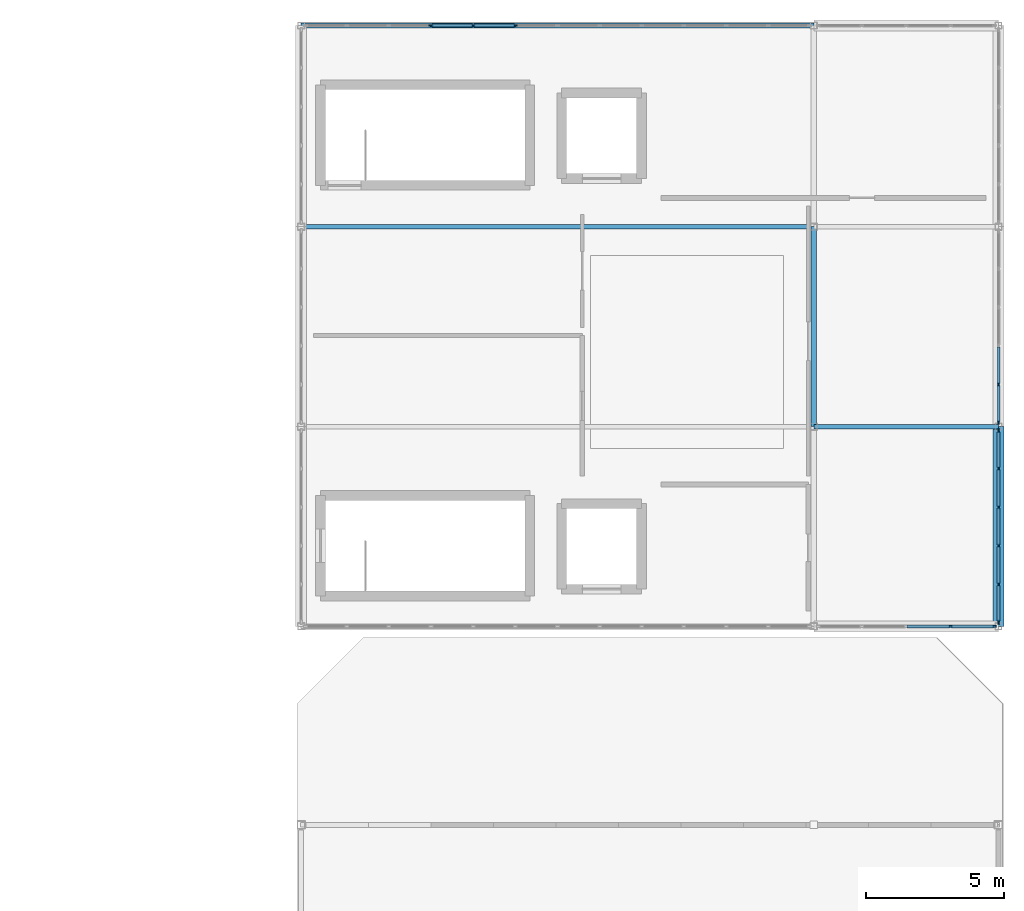
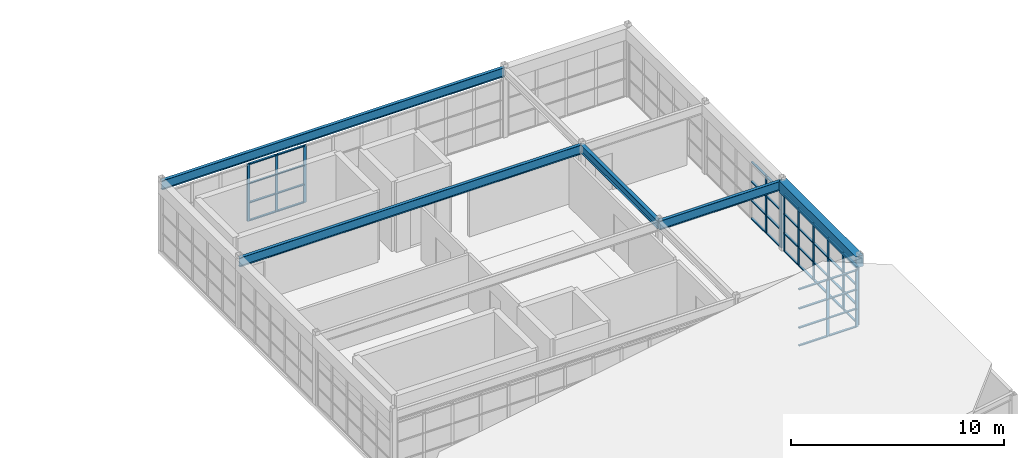
# One storey, part 11 of 19: 57 members, 5 beams, 4 elements without a shape of their own.
"""IFC4 building model written with IfcOpenShell, lengths in metres."""

from ifc_helpers import new_model, si_unit, direction, frame, origin, origin_2d, place, context, subcontext, project, spatial, rectangle, i_section, extrude, material, layer, layer_set, material_profile, profile_set, type_object, element, aggregate, save


model = new_model("IFC4")

# Units and contexts
model_context = context("Model", 3, precision=1e-05, world=origin(), true_north=direction((0.0, 1.0)))
body_context = subcontext(model_context, "Body", "Model", "MODEL_VIEW")
ifc_project = project(units=[si_unit("LENGTHUNIT", "METRE"), si_unit("AREAUNIT", "SQUARE_METRE"), si_unit("VOLUMEUNIT", "CUBIC_METRE"), si_unit("PLANEANGLEUNIT", "RADIAN"), si_unit("MASSUNIT", "GRAM", prefix="KILO")], contexts=[model_context])

# Site, building, storey
site_placement = place(None, origin())
site = spatial("IfcSite", under=ifc_project, at=site_placement, CompositionType="ELEMENT")
building_placement = place(site_placement, origin())
building = spatial("IfcBuilding", under=site, at=building_placement, Name="Candilejo Ridge Gondola Terminal", CompositionType="ELEMENT")
storey_placement = place(building_placement, frame((0.0, 0.0, 22.800048828125)))
storey = spatial("IfcBuildingStorey", under=building, at=storey_placement, Name="L05", CompositionType="ELEMENT", Elevation=22.800048828125)

# Curtain wall, members
ifc_material_1 = material(Name="Anodised aluminium AA 6063-T6", Category="aluminium")
ifc_layer_1 = layer(ifc_material_1, 0.169921875)
ifc_layer_set_1 = layer_set([ifc_layer_1], Name="ARC-CW-TOWER-3000-700X329")
curtain_wall_type_1 = type_object("IfcCurtainWallType", Name="ARC-CW-TOWER-3000-700X329", PredefinedType="NOTDEFINED", material=ifc_layer_set_1)
curtain_wall_1_placement = place(storey_placement, origin())
curtain_wall_1 = element("IfcCurtainWall", 1, at=curtain_wall_1_placement, inside=storey, type_object=curtain_wall_type_1, Name="Curtain wall V5 L05-227", PredefinedType="NOTDEFINED")
ifc_material_2 = material(Name="Anodised aluminium AA 6063-T6", Category="aluminium")
ifc_material_profile_1 = material_profile(ifc_material_2, rectangle(XDim=0.06494140625, YDim=0.14990234375, at=origin_2d()))
ifc_profile_set_1 = profile_set([ifc_material_profile_1], Name="Anodised aluminium AA 6063-T6")
member_type_1 = type_object("IfcMemberType", Name="ARC-CW-MULLION-150", PredefinedType="MULLION", material=ifc_profile_set_1)
member_1_placement = place(storey_placement, frame((175.300048828125, 99.20751953125, 0.0), z_axis=(0.0, 0.0, 1.0), x_axis=(-1.0, 0.0, 0.0)))
member_1 = element("IfcMember", 2, at=member_1_placement, type_object=member_type_1, Name="CW-70X32 mullion 1", PredefinedType="MULLION", context=body_context, shape_type="SweptSolid", body=[
    extrude(rectangle(XDim=0.06494140625, YDim=0.14990234375, at=origin_2d()), origin(), (0.0, 0.0, 1.0), 3.2900390625),
])
member_2_placement = place(storey_placement, frame((175.300048828125, 100.574951171875, 0.0), z_axis=(0.0, 0.0, 1.0), x_axis=(-1.0, 0.0, 0.0)))
member_2 = element("IfcMember", 3, at=member_2_placement, type_object=member_type_1, Name="CW-70X32 mullion 2", PredefinedType="MULLION", context=body_context, shape_type="SweptSolid", body=[
    extrude(rectangle(XDim=0.06494140625, YDim=0.14990234375, at=origin_2d()), origin(), (0.0, 0.0, 1.0), 3.2900390625),
])
member_3_placement = place(storey_placement, frame((175.300048828125, 101.97509765625, 0.0), z_axis=(0.0, 0.0, 1.0), x_axis=(-1.0, 0.0, 0.0)))
member_3 = element("IfcMember", 4, at=member_3_placement, type_object=member_type_1, Name="CW-70X32 mullion 3", PredefinedType="MULLION", context=body_context, shape_type="SweptSolid", body=[
    extrude(rectangle(XDim=0.06494140625, YDim=0.14990234375, at=origin_2d()), origin(), (0.0, 0.0, 1.0), 3.2900390625),
])
member_4_placement = place(storey_placement, frame((175.300048828125, 103.375, 0.0), z_axis=(0.0, 0.0, 1.0), x_axis=(-1.0, 0.0, 0.0)))
member_4 = element("IfcMember", 5, at=member_4_placement, type_object=member_type_1, Name="CW-70X32 mullion 4", PredefinedType="MULLION", context=body_context, shape_type="SweptSolid", body=[
    extrude(rectangle(XDim=0.06494140625, YDim=0.14990234375, at=origin_2d()), origin(), (0.0, 0.0, 1.0), 3.2900390625),
])
member_5_placement = place(storey_placement, frame((175.300048828125, 104.77490234375, 0.0), z_axis=(0.0, 0.0, 1.0), x_axis=(-1.0, 0.0, 0.0)))
member_5 = element("IfcMember", 6, at=member_5_placement, type_object=member_type_1, Name="CW-70X32 mullion 5", PredefinedType="MULLION", context=body_context, shape_type="SweptSolid", body=[
    extrude(rectangle(XDim=0.06494140625, YDim=0.14990234375, at=origin_2d()), origin(), (0.0, 0.0, 1.0), 3.2900390625),
])
member_6_placement = place(storey_placement, frame((175.300048828125, 106.142578125, 0.0), z_axis=(0.0, 0.0, 1.0), x_axis=(-1.0, 0.0, 0.0)))
member_6 = element("IfcMember", 7, at=member_6_placement, type_object=member_type_1, Name="CW-70X32 mullion 6", PredefinedType="MULLION", context=body_context, shape_type="SweptSolid", body=[
    extrude(rectangle(XDim=0.06494140625, YDim=0.14990234375, at=origin_2d()), origin(), (0.0, 0.0, 1.0), 3.2900390625),
])

curtain_wall_2_placement = place(storey_placement, origin())
curtain_wall_2 = element("IfcCurtainWall", 8, at=curtain_wall_2_placement, inside=storey, type_object=curtain_wall_type_1, Name="Curtain wall V5 L05-229", PredefinedType="NOTDEFINED")
member_7_placement = place(storey_placement, frame((175.300048828125, 106.45751953125, 0.0), z_axis=(0.0, 0.0, 1.0), x_axis=(-1.0, 0.0, 0.0)))
member_7 = element("IfcMember", 9, at=member_7_placement, type_object=member_type_1, Name="CW-70X32 mullion 1", PredefinedType="MULLION", context=body_context, shape_type="SweptSolid", body=[
    extrude(rectangle(XDim=0.06494140625, YDim=0.14990234375, at=origin_2d()), origin(), (0.0, 0.0, 1.0), 3.2900390625),
])
member_8_placement = place(storey_placement, frame((175.300048828125, 107.824951171875, 0.0), z_axis=(0.0, 0.0, 1.0), x_axis=(-1.0, 0.0, 0.0)))
member_8 = element("IfcMember", 10, at=member_8_placement, type_object=member_type_1, Name="CW-70X32 mullion 2", PredefinedType="MULLION", context=body_context, shape_type="SweptSolid", body=[
    extrude(rectangle(XDim=0.06494140625, YDim=0.14990234375, at=origin_2d()), origin(), (0.0, 0.0, 1.0), 3.2900390625),
])

ifc_material_3 = material(Name="Anodised aluminium AA 6063-T6", Category="aluminium")
ifc_layer_2 = layer(ifc_material_3, 0.169921875)
ifc_layer_set_2 = layer_set([ifc_layer_2], Name="ARC-CW-TOWER-3000-1835X329")
curtain_wall_type_2 = type_object("IfcCurtainWallType", Name="ARC-CW-TOWER-3000-1835X329", PredefinedType="NOTDEFINED", material=ifc_layer_set_2)
curtain_wall_3_placement = place(storey_placement, origin())
curtain_wall_3 = element("IfcCurtainWall", 11, at=curtain_wall_3_placement, inside=storey, type_object=curtain_wall_type_2, Name="Curtain wall V5 L05-233", PredefinedType="NOTDEFINED")
member_9_placement = place(storey_placement, frame((154.71240234375, 120.85009765625, 0.0), z_axis=(0.0, 0.0, 1.0), x_axis=(0.0, 1.0, 0.0)))
member_9 = element("IfcMember", 12, at=member_9_placement, type_object=member_type_1, Name="CW-183X32 mullion 4", PredefinedType="MULLION", context=body_context, shape_type="SweptSolid", body=[
    extrude(rectangle(XDim=0.06494140625, YDim=0.14990234375, at=origin_2d()), origin(), (0.0, 0.0, 1.0), 3.2900390625),
])
member_10_placement = place(storey_placement, frame((156.24169921875, 120.85009765625, 0.0), z_axis=(0.0, 0.0, 1.0), x_axis=(0.0, 1.0, 0.0)))
member_10 = element("IfcMember", 13, at=member_10_placement, type_object=member_type_1, Name="CW-183X32 mullion 5", PredefinedType="MULLION", context=body_context, shape_type="SweptSolid", body=[
    extrude(rectangle(XDim=0.06494140625, YDim=0.14990234375, at=origin_2d()), origin(), (0.0, 0.0, 1.0), 3.2900390625),
])
member_11_placement = place(storey_placement, frame((157.770751953125, 120.85009765625, 0.0), z_axis=(0.0, 0.0, 1.0), x_axis=(0.0, 1.0, 0.0)))
member_11 = element("IfcMember", 14, at=member_11_placement, type_object=member_type_1, Name="CW-183X32 mullion 6", PredefinedType="MULLION", context=body_context, shape_type="SweptSolid", body=[
    extrude(rectangle(XDim=0.06494140625, YDim=0.14990234375, at=origin_2d()), origin(), (0.0, 0.0, 1.0), 3.2900390625),
])

ifc_material_4 = material(Name="Anodised aluminium AA 6063-T6", Category="aluminium")
ifc_layer_3 = layer(ifc_material_4, 0.169921875)
ifc_layer_set_3 = layer_set([ifc_layer_3], Name="ARC-CW-TOWER-3000-645X329")
curtain_wall_type_3 = type_object("IfcCurtainWallType", Name="ARC-CW-TOWER-3000-645X329", PredefinedType="NOTDEFINED", material=ifc_layer_set_3)
curtain_wall_4_placement = place(storey_placement, origin())
curtain_wall_4 = element("IfcCurtainWall", 15, at=curtain_wall_4_placement, inside=storey, type_object=curtain_wall_type_3, Name="Curtain wall V5 L05-234", PredefinedType="NOTDEFINED")
member_12_placement = place(storey_placement, frame((173.5625, 99.050048828125, 0.0), z_axis=(0.0, 0.0, 1.0), x_axis=(0.0, 1.0, 0.0)))
member_12 = element("IfcMember", 16, at=member_12_placement, type_object=member_type_1, Name="CW-64X32 mullion 4", PredefinedType="MULLION", context=body_context, shape_type="SweptSolid", body=[
    extrude(rectangle(XDim=0.06494140625, YDim=0.14990234375, at=origin_2d()), origin(), (0.0, 0.0, 1.0), 3.2900390625),
])
member_13_placement = place(storey_placement, frame((175.142578125, 99.050048828125, 0.0), z_axis=(0.0, 0.0, 1.0), x_axis=(0.0, 1.0, 0.0)))
member_13 = element("IfcMember", 17, at=member_13_placement, type_object=member_type_1, Name="CW-64X32 mullion 5", PredefinedType="MULLION", context=body_context, shape_type="SweptSolid", body=[
    extrude(rectangle(XDim=0.06494140625, YDim=0.14990234375, at=origin_2d()), origin(), (0.0, 0.0, 1.0), 3.2900390625),
])

# Member
ifc_material_5 = material(Name="Anodised aluminium AA 6063-T6", Category="aluminium")
ifc_material_profile_2 = material_profile(ifc_material_5, rectangle(XDim=0.110107421875, YDim=0.06005859375, at=origin_2d()))
ifc_profile_set_2 = profile_set([ifc_material_profile_2], Name="Anodised aluminium AA 6063-T6")
member_type_2 = type_object("IfcMemberType", Name="ARC-CW-TRANSOM-110", PredefinedType="USERDEFINED", material=ifc_profile_set_2)
member_14_placement = place(storey_placement, frame((175.300048828125, 99.239990234375, 0.030029296875), z_axis=(0.0, 1.0, 0.0), x_axis=(-1.0, 0.0, 0.0)))
member_14 = element("IfcMember", 18, at=member_14_placement, type_object=member_type_2, Name="CW-70X32 transom 1.1", ObjectType="TRANSOM", PredefinedType="USERDEFINED", context=body_context, shape_type="SweptSolid", body=[
    extrude(rectangle(XDim=0.110107421875, YDim=0.06005859375, at=origin_2d()), origin(), (0.0, 0.0, 1.0), 1.302490234375),
])

member_15_placement = place(storey_placement, frame((175.300048828125, 99.239990234375, 1.050048828125), z_axis=(0.0, 1.0, 0.0), x_axis=(-1.0, 0.0, 0.0)))
member_15 = element("IfcMember", 19, at=member_15_placement, type_object=member_type_2, Name="CW-70X32 transom 1.2", ObjectType="TRANSOM", PredefinedType="USERDEFINED", context=body_context, shape_type="SweptSolid", body=[
    extrude(rectangle(XDim=0.110107421875, YDim=0.06005859375, at=origin_2d()), origin(), (0.0, 0.0, 1.0), 1.302490234375),
])

member_16_placement = place(storey_placement, frame((175.300048828125, 99.239990234375, 2.14990234375), z_axis=(0.0, 1.0, 0.0), x_axis=(-1.0, 0.0, 0.0)))
member_16 = element("IfcMember", 20, at=member_16_placement, type_object=member_type_2, Name="CW-70X32 transom 1.3", ObjectType="TRANSOM", PredefinedType="USERDEFINED", context=body_context, shape_type="SweptSolid", body=[
    extrude(rectangle(XDim=0.110107421875, YDim=0.06005859375, at=origin_2d()), origin(), (0.0, 0.0, 1.0), 1.302490234375),
])

member_17_placement = place(storey_placement, frame((175.300048828125, 99.239990234375, 3.260009765625), z_axis=(0.0, 1.0, 0.0), x_axis=(-1.0, 0.0, 0.0)))
member_17 = element("IfcMember", 21, at=member_17_placement, type_object=member_type_2, Name="CW-70X32 transom 1.4", ObjectType="TRANSOM", PredefinedType="USERDEFINED", context=body_context, shape_type="SweptSolid", body=[
    extrude(rectangle(XDim=0.110107421875, YDim=0.06005859375, at=origin_2d()), origin(), (0.0, 0.0, 1.0), 1.302490234375),
])

member_18_placement = place(storey_placement, frame((175.300048828125, 100.607421875, 0.030029296875), z_axis=(0.0, 1.0, 0.0), x_axis=(-1.0, 0.0, 0.0)))
member_18 = element("IfcMember", 22, at=member_18_placement, type_object=member_type_2, Name="CW-70X32 transom 2.1", ObjectType="TRANSOM", PredefinedType="USERDEFINED", context=body_context, shape_type="SweptSolid", body=[
    extrude(rectangle(XDim=0.110107421875, YDim=0.06005859375, at=origin_2d()), origin(), (0.0, 0.0, 1.0), 1.3349609375),
])

member_19_placement = place(storey_placement, frame((175.300048828125, 100.607421875, 1.050048828125), z_axis=(0.0, 1.0, 0.0), x_axis=(-1.0, 0.0, 0.0)))
member_19 = element("IfcMember", 23, at=member_19_placement, type_object=member_type_2, Name="CW-70X32 transom 2.2", ObjectType="TRANSOM", PredefinedType="USERDEFINED", context=body_context, shape_type="SweptSolid", body=[
    extrude(rectangle(XDim=0.110107421875, YDim=0.06005859375, at=origin_2d()), origin(), (0.0, 0.0, 1.0), 1.3349609375),
])

member_20_placement = place(storey_placement, frame((175.300048828125, 100.607421875, 2.14990234375), z_axis=(0.0, 1.0, 0.0), x_axis=(-1.0, 0.0, 0.0)))
member_20 = element("IfcMember", 24, at=member_20_placement, type_object=member_type_2, Name="CW-70X32 transom 2.3", ObjectType="TRANSOM", PredefinedType="USERDEFINED", context=body_context, shape_type="SweptSolid", body=[
    extrude(rectangle(XDim=0.110107421875, YDim=0.06005859375, at=origin_2d()), origin(), (0.0, 0.0, 1.0), 1.3349609375),
])

member_21_placement = place(storey_placement, frame((175.300048828125, 100.607421875, 3.260009765625), z_axis=(0.0, 1.0, 0.0), x_axis=(-1.0, 0.0, 0.0)))
member_21 = element("IfcMember", 25, at=member_21_placement, type_object=member_type_2, Name="CW-70X32 transom 2.4", ObjectType="TRANSOM", PredefinedType="USERDEFINED", context=body_context, shape_type="SweptSolid", body=[
    extrude(rectangle(XDim=0.110107421875, YDim=0.06005859375, at=origin_2d()), origin(), (0.0, 0.0, 1.0), 1.3349609375),
])

member_22_placement = place(storey_placement, frame((175.300048828125, 102.007568359375, 0.030029296875), z_axis=(0.0, 1.0, 0.0), x_axis=(-1.0, 0.0, 0.0)))
member_22 = element("IfcMember", 26, at=member_22_placement, type_object=member_type_2, Name="CW-70X32 transom 3.1", ObjectType="TRANSOM", PredefinedType="USERDEFINED", context=body_context, shape_type="SweptSolid", body=[
    extrude(rectangle(XDim=0.110107421875, YDim=0.06005859375, at=origin_2d()), origin(), (0.0, 0.0, 1.0), 1.3349609375),
])

member_23_placement = place(storey_placement, frame((175.300048828125, 102.007568359375, 1.050048828125), z_axis=(0.0, 1.0, 0.0), x_axis=(-1.0, 0.0, 0.0)))
member_23 = element("IfcMember", 27, at=member_23_placement, type_object=member_type_2, Name="CW-70X32 transom 3.2", ObjectType="TRANSOM", PredefinedType="USERDEFINED", context=body_context, shape_type="SweptSolid", body=[
    extrude(rectangle(XDim=0.110107421875, YDim=0.06005859375, at=origin_2d()), origin(), (0.0, 0.0, 1.0), 1.3349609375),
])

member_24_placement = place(storey_placement, frame((175.300048828125, 102.007568359375, 2.14990234375), z_axis=(0.0, 1.0, 0.0), x_axis=(-1.0, 0.0, 0.0)))
member_24 = element("IfcMember", 28, at=member_24_placement, type_object=member_type_2, Name="CW-70X32 transom 3.3", ObjectType="TRANSOM", PredefinedType="USERDEFINED", context=body_context, shape_type="SweptSolid", body=[
    extrude(rectangle(XDim=0.110107421875, YDim=0.06005859375, at=origin_2d()), origin(), (0.0, 0.0, 1.0), 1.3349609375),
])

member_25_placement = place(storey_placement, frame((175.300048828125, 102.007568359375, 3.260009765625), z_axis=(0.0, 1.0, 0.0), x_axis=(-1.0, 0.0, 0.0)))
member_25 = element("IfcMember", 29, at=member_25_placement, type_object=member_type_2, Name="CW-70X32 transom 3.4", ObjectType="TRANSOM", PredefinedType="USERDEFINED", context=body_context, shape_type="SweptSolid", body=[
    extrude(rectangle(XDim=0.110107421875, YDim=0.06005859375, at=origin_2d()), origin(), (0.0, 0.0, 1.0), 1.3349609375),
])

member_26_placement = place(storey_placement, frame((175.300048828125, 103.407470703125, 0.030029296875), z_axis=(0.0, 1.0, 0.0), x_axis=(-1.0, 0.0, 0.0)))
member_26 = element("IfcMember", 30, at=member_26_placement, type_object=member_type_2, Name="CW-70X32 transom 4.1", ObjectType="TRANSOM", PredefinedType="USERDEFINED", context=body_context, shape_type="SweptSolid", body=[
    extrude(rectangle(XDim=0.110107421875, YDim=0.06005859375, at=origin_2d()), origin(), (0.0, 0.0, 1.0), 1.3349609375),
])

member_27_placement = place(storey_placement, frame((175.300048828125, 103.407470703125, 1.050048828125), z_axis=(0.0, 1.0, 0.0), x_axis=(-1.0, 0.0, 0.0)))
member_27 = element("IfcMember", 31, at=member_27_placement, type_object=member_type_2, Name="CW-70X32 transom 4.2", ObjectType="TRANSOM", PredefinedType="USERDEFINED", context=body_context, shape_type="SweptSolid", body=[
    extrude(rectangle(XDim=0.110107421875, YDim=0.06005859375, at=origin_2d()), origin(), (0.0, 0.0, 1.0), 1.3349609375),
])

member_28_placement = place(storey_placement, frame((175.300048828125, 103.407470703125, 2.14990234375), z_axis=(0.0, 1.0, 0.0), x_axis=(-1.0, 0.0, 0.0)))
member_28 = element("IfcMember", 32, at=member_28_placement, type_object=member_type_2, Name="CW-70X32 transom 4.3", ObjectType="TRANSOM", PredefinedType="USERDEFINED", context=body_context, shape_type="SweptSolid", body=[
    extrude(rectangle(XDim=0.110107421875, YDim=0.06005859375, at=origin_2d()), origin(), (0.0, 0.0, 1.0), 1.3349609375),
])

member_29_placement = place(storey_placement, frame((175.300048828125, 103.407470703125, 3.260009765625), z_axis=(0.0, 1.0, 0.0), x_axis=(-1.0, 0.0, 0.0)))
member_29 = element("IfcMember", 33, at=member_29_placement, type_object=member_type_2, Name="CW-70X32 transom 4.4", ObjectType="TRANSOM", PredefinedType="USERDEFINED", context=body_context, shape_type="SweptSolid", body=[
    extrude(rectangle(XDim=0.110107421875, YDim=0.06005859375, at=origin_2d()), origin(), (0.0, 0.0, 1.0), 1.3349609375),
])

member_30_placement = place(storey_placement, frame((175.300048828125, 104.8076171875, 0.030029296875), z_axis=(0.0, 1.0, 0.0), x_axis=(-1.0, 0.0, 0.0)))
member_30 = element("IfcMember", 34, at=member_30_placement, type_object=member_type_2, Name="CW-70X32 transom 5.1", ObjectType="TRANSOM", PredefinedType="USERDEFINED", context=body_context, shape_type="SweptSolid", body=[
    extrude(rectangle(XDim=0.110107421875, YDim=0.06005859375, at=origin_2d()), origin(), (0.0, 0.0, 1.0), 1.302490234375),
])

member_31_placement = place(storey_placement, frame((175.300048828125, 104.8076171875, 1.050048828125), z_axis=(0.0, 1.0, 0.0), x_axis=(-1.0, 0.0, 0.0)))
member_31 = element("IfcMember", 35, at=member_31_placement, type_object=member_type_2, Name="CW-70X32 transom 5.2", ObjectType="TRANSOM", PredefinedType="USERDEFINED", context=body_context, shape_type="SweptSolid", body=[
    extrude(rectangle(XDim=0.110107421875, YDim=0.06005859375, at=origin_2d()), origin(), (0.0, 0.0, 1.0), 1.302490234375),
])

member_32_placement = place(storey_placement, frame((175.300048828125, 104.8076171875, 2.14990234375), z_axis=(0.0, 1.0, 0.0), x_axis=(-1.0, 0.0, 0.0)))
member_32 = element("IfcMember", 36, at=member_32_placement, type_object=member_type_2, Name="CW-70X32 transom 5.3", ObjectType="TRANSOM", PredefinedType="USERDEFINED", context=body_context, shape_type="SweptSolid", body=[
    extrude(rectangle(XDim=0.110107421875, YDim=0.06005859375, at=origin_2d()), origin(), (0.0, 0.0, 1.0), 1.302490234375),
])

member_33_placement = place(storey_placement, frame((175.300048828125, 104.8076171875, 3.260009765625), z_axis=(0.0, 1.0, 0.0), x_axis=(-1.0, 0.0, 0.0)))
member_33 = element("IfcMember", 37, at=member_33_placement, type_object=member_type_2, Name="CW-70X32 transom 5.4", ObjectType="TRANSOM", PredefinedType="USERDEFINED", context=body_context, shape_type="SweptSolid", body=[
    extrude(rectangle(XDim=0.110107421875, YDim=0.06005859375, at=origin_2d()), origin(), (0.0, 0.0, 1.0), 1.302490234375),
])

aggregate(curtain_wall_1, [member_1, member_2, member_3, member_4, member_5, member_6, member_14, member_15, member_16, member_17, member_18, member_19, member_20, member_21, member_22, member_23, member_24, member_25, member_26, member_27, member_28, member_29, member_30, member_31, member_32, member_33])

member_34_placement = place(storey_placement, frame((175.300048828125, 106.489990234375, 0.030029296875), z_axis=(0.0, 1.0, 0.0), x_axis=(-1.0, 0.0, 0.0)))
member_34 = element("IfcMember", 38, at=member_34_placement, type_object=member_type_2, Name="CW-70X32 transom 1.1", ObjectType="TRANSOM", PredefinedType="USERDEFINED", context=body_context, shape_type="SweptSolid", body=[
    extrude(rectangle(XDim=0.110107421875, YDim=0.06005859375, at=origin_2d()), origin(), (0.0, 0.0, 1.0), 1.302490234375),
])

member_35_placement = place(storey_placement, frame((175.300048828125, 106.489990234375, 1.050048828125), z_axis=(0.0, 1.0, 0.0), x_axis=(-1.0, 0.0, 0.0)))
member_35 = element("IfcMember", 39, at=member_35_placement, type_object=member_type_2, Name="CW-70X32 transom 1.2", ObjectType="TRANSOM", PredefinedType="USERDEFINED", context=body_context, shape_type="SweptSolid", body=[
    extrude(rectangle(XDim=0.110107421875, YDim=0.06005859375, at=origin_2d()), origin(), (0.0, 0.0, 1.0), 1.302490234375),
])

member_36_placement = place(storey_placement, frame((175.300048828125, 106.489990234375, 2.14990234375), z_axis=(0.0, 1.0, 0.0), x_axis=(-1.0, 0.0, 0.0)))
member_36 = element("IfcMember", 40, at=member_36_placement, type_object=member_type_2, Name="CW-70X32 transom 1.3", ObjectType="TRANSOM", PredefinedType="USERDEFINED", context=body_context, shape_type="SweptSolid", body=[
    extrude(rectangle(XDim=0.110107421875, YDim=0.06005859375, at=origin_2d()), origin(), (0.0, 0.0, 1.0), 1.302490234375),
])

member_37_placement = place(storey_placement, frame((175.300048828125, 106.489990234375, 3.260009765625), z_axis=(0.0, 1.0, 0.0), x_axis=(-1.0, 0.0, 0.0)))
member_37 = element("IfcMember", 41, at=member_37_placement, type_object=member_type_2, Name="CW-70X32 transom 1.4", ObjectType="TRANSOM", PredefinedType="USERDEFINED", context=body_context, shape_type="SweptSolid", body=[
    extrude(rectangle(XDim=0.110107421875, YDim=0.06005859375, at=origin_2d()), origin(), (0.0, 0.0, 1.0), 1.302490234375),
])

member_38_placement = place(storey_placement, frame((175.300048828125, 107.857421875, 0.030029296875), z_axis=(0.0, 1.0, 0.0), x_axis=(-1.0, 0.0, 0.0)))
member_38 = element("IfcMember", 42, at=member_38_placement, type_object=member_type_2, Name="CW-70X32 transom 2.1", ObjectType="TRANSOM", PredefinedType="USERDEFINED", context=body_context, shape_type="SweptSolid", body=[
    extrude(rectangle(XDim=0.110107421875, YDim=0.06005859375, at=origin_2d()), origin(), (0.0, 0.0, 1.0), 1.3349609375),
])

member_39_placement = place(storey_placement, frame((175.300048828125, 107.857421875, 1.050048828125), z_axis=(0.0, 1.0, 0.0), x_axis=(-1.0, 0.0, 0.0)))
member_39 = element("IfcMember", 43, at=member_39_placement, type_object=member_type_2, Name="CW-70X32 transom 2.2", ObjectType="TRANSOM", PredefinedType="USERDEFINED", context=body_context, shape_type="SweptSolid", body=[
    extrude(rectangle(XDim=0.110107421875, YDim=0.06005859375, at=origin_2d()), origin(), (0.0, 0.0, 1.0), 1.3349609375),
])

member_40_placement = place(storey_placement, frame((175.300048828125, 107.857421875, 2.14990234375), z_axis=(0.0, 1.0, 0.0), x_axis=(-1.0, 0.0, 0.0)))
member_40 = element("IfcMember", 44, at=member_40_placement, type_object=member_type_2, Name="CW-70X32 transom 2.3", ObjectType="TRANSOM", PredefinedType="USERDEFINED", context=body_context, shape_type="SweptSolid", body=[
    extrude(rectangle(XDim=0.110107421875, YDim=0.06005859375, at=origin_2d()), origin(), (0.0, 0.0, 1.0), 1.3349609375),
])

member_41_placement = place(storey_placement, frame((175.300048828125, 107.857421875, 3.260009765625), z_axis=(0.0, 1.0, 0.0), x_axis=(-1.0, 0.0, 0.0)))
member_41 = element("IfcMember", 45, at=member_41_placement, type_object=member_type_2, Name="CW-70X32 transom 2.4", ObjectType="TRANSOM", PredefinedType="USERDEFINED", context=body_context, shape_type="SweptSolid", body=[
    extrude(rectangle(XDim=0.110107421875, YDim=0.06005859375, at=origin_2d()), origin(), (0.0, 0.0, 1.0), 1.3349609375),
])

aggregate(curtain_wall_2, [member_7, member_8, member_34, member_35, member_36, member_37, member_38, member_39, member_40, member_41])

member_42_placement = place(storey_placement, frame((154.7451171875, 120.85009765625, 0.030029296875), z_axis=(1.0, 0.0, 0.0), x_axis=(0.0, 1.0, 0.0)))
member_42 = element("IfcMember", 46, at=member_42_placement, type_object=member_type_2, Name="CW-183X32 transom 4.1", ObjectType="TRANSOM", PredefinedType="USERDEFINED", context=body_context, shape_type="SweptSolid", body=[
    extrude(rectangle(XDim=0.110107421875, YDim=0.06005859375, at=origin_2d()), origin(), (0.0, 0.0, 1.0), 1.464111328125),
])

member_43_placement = place(storey_placement, frame((154.7451171875, 120.85009765625, 1.050048828125), z_axis=(1.0, 0.0, 0.0), x_axis=(0.0, 1.0, 0.0)))
member_43 = element("IfcMember", 47, at=member_43_placement, type_object=member_type_2, Name="CW-183X32 transom 4.2", ObjectType="TRANSOM", PredefinedType="USERDEFINED", context=body_context, shape_type="SweptSolid", body=[
    extrude(rectangle(XDim=0.110107421875, YDim=0.06005859375, at=origin_2d()), origin(), (0.0, 0.0, 1.0), 1.464111328125),
])

member_44_placement = place(storey_placement, frame((154.7451171875, 120.85009765625, 2.14990234375), z_axis=(1.0, 0.0, 0.0), x_axis=(0.0, 1.0, 0.0)))
member_44 = element("IfcMember", 48, at=member_44_placement, type_object=member_type_2, Name="CW-183X32 transom 4.3", ObjectType="TRANSOM", PredefinedType="USERDEFINED", context=body_context, shape_type="SweptSolid", body=[
    extrude(rectangle(XDim=0.110107421875, YDim=0.06005859375, at=origin_2d()), origin(), (0.0, 0.0, 1.0), 1.464111328125),
])

member_45_placement = place(storey_placement, frame((154.7451171875, 120.85009765625, 3.260009765625), z_axis=(1.0, 0.0, 0.0), x_axis=(0.0, 1.0, 0.0)))
member_45 = element("IfcMember", 49, at=member_45_placement, type_object=member_type_2, Name="CW-183X32 transom 4.4", ObjectType="TRANSOM", PredefinedType="USERDEFINED", context=body_context, shape_type="SweptSolid", body=[
    extrude(rectangle(XDim=0.110107421875, YDim=0.06005859375, at=origin_2d()), origin(), (0.0, 0.0, 1.0), 1.464111328125),
])

member_46_placement = place(storey_placement, frame((156.274169921875, 120.85009765625, 0.030029296875), z_axis=(1.0, 0.0, 0.0), x_axis=(0.0, 1.0, 0.0)))
member_46 = element("IfcMember", 50, at=member_46_placement, type_object=member_type_2, Name="CW-183X32 transom 5.1", ObjectType="TRANSOM", PredefinedType="USERDEFINED", context=body_context, shape_type="SweptSolid", body=[
    extrude(rectangle(XDim=0.110107421875, YDim=0.06005859375, at=origin_2d()), origin(), (0.0, 0.0, 1.0), 1.464111328125),
])

member_47_placement = place(storey_placement, frame((156.274169921875, 120.85009765625, 1.050048828125), z_axis=(1.0, 0.0, 0.0), x_axis=(0.0, 1.0, 0.0)))
member_47 = element("IfcMember", 51, at=member_47_placement, type_object=member_type_2, Name="CW-183X32 transom 5.2", ObjectType="TRANSOM", PredefinedType="USERDEFINED", context=body_context, shape_type="SweptSolid", body=[
    extrude(rectangle(XDim=0.110107421875, YDim=0.06005859375, at=origin_2d()), origin(), (0.0, 0.0, 1.0), 1.464111328125),
])

member_48_placement = place(storey_placement, frame((156.274169921875, 120.85009765625, 2.14990234375), z_axis=(1.0, 0.0, 0.0), x_axis=(0.0, 1.0, 0.0)))
member_48 = element("IfcMember", 52, at=member_48_placement, type_object=member_type_2, Name="CW-183X32 transom 5.3", ObjectType="TRANSOM", PredefinedType="USERDEFINED", context=body_context, shape_type="SweptSolid", body=[
    extrude(rectangle(XDim=0.110107421875, YDim=0.06005859375, at=origin_2d()), origin(), (0.0, 0.0, 1.0), 1.464111328125),
])

member_49_placement = place(storey_placement, frame((156.274169921875, 120.85009765625, 3.260009765625), z_axis=(1.0, 0.0, 0.0), x_axis=(0.0, 1.0, 0.0)))
member_49 = element("IfcMember", 53, at=member_49_placement, type_object=member_type_2, Name="CW-183X32 transom 5.4", ObjectType="TRANSOM", PredefinedType="USERDEFINED", context=body_context, shape_type="SweptSolid", body=[
    extrude(rectangle(XDim=0.110107421875, YDim=0.06005859375, at=origin_2d()), origin(), (0.0, 0.0, 1.0), 1.464111328125),
])

aggregate(curtain_wall_3, [member_9, member_10, member_11, member_42, member_43, member_44, member_45, member_46, member_47, member_48, member_49])

member_50_placement = place(storey_placement, frame((171.982421875, 99.050048828125, 0.030029296875), z_axis=(1.0, 0.0, 0.0), x_axis=(0.0, 1.0, 0.0)))
member_50 = element("IfcMember", 54, at=member_50_placement, type_object=member_type_2, Name="CW-64X32 transom 3.1", ObjectType="TRANSOM", PredefinedType="USERDEFINED", context=body_context, shape_type="SweptSolid", body=[
    extrude(rectangle(XDim=0.110107421875, YDim=0.06005859375, at=origin_2d()), origin(), (0.0, 0.0, 1.0), 1.547607421875),
])

member_51_placement = place(storey_placement, frame((171.982421875, 99.050048828125, 1.050048828125), z_axis=(1.0, 0.0, 0.0), x_axis=(0.0, 1.0, 0.0)))
member_51 = element("IfcMember", 55, at=member_51_placement, type_object=member_type_2, Name="CW-64X32 transom 3.2", ObjectType="TRANSOM", PredefinedType="USERDEFINED", context=body_context, shape_type="SweptSolid", body=[
    extrude(rectangle(XDim=0.110107421875, YDim=0.06005859375, at=origin_2d()), origin(), (0.0, 0.0, 1.0), 1.547607421875),
])

member_52_placement = place(storey_placement, frame((171.982421875, 99.050048828125, 2.14990234375), z_axis=(1.0, 0.0, 0.0), x_axis=(0.0, 1.0, 0.0)))
member_52 = element("IfcMember", 56, at=member_52_placement, type_object=member_type_2, Name="CW-64X32 transom 3.3", ObjectType="TRANSOM", PredefinedType="USERDEFINED", context=body_context, shape_type="SweptSolid", body=[
    extrude(rectangle(XDim=0.110107421875, YDim=0.06005859375, at=origin_2d()), origin(), (0.0, 0.0, 1.0), 1.547607421875),
])

member_53_placement = place(storey_placement, frame((171.982421875, 99.050048828125, 3.260009765625), z_axis=(1.0, 0.0, 0.0), x_axis=(0.0, 1.0, 0.0)))
member_53 = element("IfcMember", 57, at=member_53_placement, type_object=member_type_2, Name="CW-64X32 transom 3.4", ObjectType="TRANSOM", PredefinedType="USERDEFINED", context=body_context, shape_type="SweptSolid", body=[
    extrude(rectangle(XDim=0.110107421875, YDim=0.06005859375, at=origin_2d()), origin(), (0.0, 0.0, 1.0), 1.547607421875),
])

member_54_placement = place(storey_placement, frame((173.594970703125, 99.050048828125, 0.030029296875), z_axis=(1.0, 0.0, 0.0), x_axis=(0.0, 1.0, 0.0)))
member_54 = element("IfcMember", 58, at=member_54_placement, type_object=member_type_2, Name="CW-64X32 transom 4.1", ObjectType="TRANSOM", PredefinedType="USERDEFINED", context=body_context, shape_type="SweptSolid", body=[
    extrude(rectangle(XDim=0.110107421875, YDim=0.06005859375, at=origin_2d()), origin(), (0.0, 0.0, 1.0), 1.51513671875),
])

member_55_placement = place(storey_placement, frame((173.594970703125, 99.050048828125, 1.050048828125), z_axis=(1.0, 0.0, 0.0), x_axis=(0.0, 1.0, 0.0)))
member_55 = element("IfcMember", 59, at=member_55_placement, type_object=member_type_2, Name="CW-64X32 transom 4.2", ObjectType="TRANSOM", PredefinedType="USERDEFINED", context=body_context, shape_type="SweptSolid", body=[
    extrude(rectangle(XDim=0.110107421875, YDim=0.06005859375, at=origin_2d()), origin(), (0.0, 0.0, 1.0), 1.51513671875),
])

member_56_placement = place(storey_placement, frame((173.594970703125, 99.050048828125, 2.14990234375), z_axis=(1.0, 0.0, 0.0), x_axis=(0.0, 1.0, 0.0)))
member_56 = element("IfcMember", 60, at=member_56_placement, type_object=member_type_2, Name="CW-64X32 transom 4.3", ObjectType="TRANSOM", PredefinedType="USERDEFINED", context=body_context, shape_type="SweptSolid", body=[
    extrude(rectangle(XDim=0.110107421875, YDim=0.06005859375, at=origin_2d()), origin(), (0.0, 0.0, 1.0), 1.51513671875),
])

member_57_placement = place(storey_placement, frame((173.594970703125, 99.050048828125, 3.260009765625), z_axis=(1.0, 0.0, 0.0), x_axis=(0.0, 1.0, 0.0)))
member_57 = element("IfcMember", 61, at=member_57_placement, type_object=member_type_2, Name="CW-64X32 transom 4.4", ObjectType="TRANSOM", PredefinedType="USERDEFINED", context=body_context, shape_type="SweptSolid", body=[
    extrude(rectangle(XDim=0.110107421875, YDim=0.06005859375, at=origin_2d()), origin(), (0.0, 0.0, 1.0), 1.51513671875),
])

aggregate(curtain_wall_4, [member_12, member_13, member_50, member_51, member_52, member_53, member_54, member_55, member_56, member_57])

# Beams
ifc_material_6 = material(Name="Steel ASTM A992 Grade 50", Category="steel")
ifc_material_profile_3 = material_profile(ifc_material_6, i_section(OverallWidth=0.194091796875, OverallDepth=0.468994140625, WebThickness=0.0126953125, FlangeThickness=0.0205078125, at=origin_2d()))
ifc_profile_set_3 = profile_set([ifc_material_profile_3], Name="Steel ASTM A992 Grade 50")
beam_type_1 = type_object("IfcBeamType", Name="STR-BM-W460X106", PredefinedType="BEAM", material=ifc_profile_set_3)
beam_1_placement = place(storey_placement, frame((168.60009765625, 106.300048828125, 3.765380859375), z_axis=(0.0, 1.0, 0.0), x_axis=(-1.0, 0.0, 0.0)))
element("IfcBeam", 62, at=beam_1_placement, inside=storey, type_object=beam_type_1, Name="Beam Y V5 L05 Y18-Y19@X25", PredefinedType="BEAM", context=body_context, shape_type="SweptSolid", body=[
    extrude(i_section(OverallWidth=0.194091796875, OverallDepth=0.468994140625, WebThickness=0.0126953125, FlangeThickness=0.0205078125, at=origin_2d()), origin(), (0.0, 0.0, 1.0), 7.25),
])
ifc_material_7 = material(Name="Steel ASTM A992 Grade 50", Category="steel")
ifc_material_profile_4 = material_profile(ifc_material_7, i_section(OverallWidth=0.166015625, OverallDepth=0.529052734375, WebThickness=0.009765625, FlangeThickness=0.013671875, at=origin_2d()))
ifc_profile_set_4 = profile_set([ifc_material_profile_4], Name="Steel ASTM A992 Grade 50")
beam_type_2 = type_object("IfcBeamType", Name="STR-BM-W530X74", PredefinedType="BEAM", material=ifc_profile_set_4)
beam_2_placement = place(storey_placement, frame((168.60009765625, 106.300048828125, 3.7353515625), z_axis=(1.0, 0.0, 0.0), x_axis=(0.0, 1.0, 0.0)))
element("IfcBeam", 63, at=beam_2_placement, inside=storey, type_object=beam_type_2, Name="Beam X V5 L05 X25-X27@Y18", PredefinedType="BEAM", context=body_context, shape_type="SweptSolid", body=[
    extrude(i_section(OverallWidth=0.166015625, OverallDepth=0.529052734375, WebThickness=0.009765625, FlangeThickness=0.013671875, at=origin_2d()), origin(), (0.0, 0.0, 1.0), 6.699951171875),
])
for number, where, z_axis, x_axis, name in (
    (64, (150.0, 113.550048828125, 3.7353515625), (1.0, 0.0, 0.0), (0.0, 1.0, 0.0), "Beam X V5 L05 X23-X25@Y19"),
    (65, (150.0, 120.85009765625, 3.7353515625), (1.0, 0.0, 0.0), (0.0, 1.0, 0.0), "Beam X V5 L05 X23-X25@Y20"),
):
    element("IfcBeam", number, at=place(storey_placement, frame(where, z_axis=z_axis, x_axis=x_axis)), inside=storey, type_object=beam_type_2, Name=name, PredefinedType="BEAM", context=body_context, shape_type="SweptSolid", body=[
        extrude(i_section(OverallWidth=0.166015625, OverallDepth=0.529052734375, WebThickness=0.009765625, FlangeThickness=0.013671875, at=origin_2d()), origin(), (0.0, 0.0, 1.0), 18.60009765625),
    ])
ifc_material_8 = material(Name="Concrete f'c 35 MPa (C35/45)", Category="concrete")
ifc_material_profile_5 = material_profile(ifc_material_8, rectangle(XDim=0.39990234375, YDim=0.64990234375, at=origin_2d()))
ifc_profile_set_5 = profile_set([ifc_material_profile_5], Name="Concrete f'c 35 MPa (C35/45)")
beam_type_3 = type_object("IfcBeamType", Name="STR-SPN-RC400X650", PredefinedType="SPANDREL", material=ifc_profile_set_5)
beam_3_placement = place(storey_placement, frame((175.300048828125, 99.050048828125, 3.675048828125), z_axis=(0.0, 1.0, 0.0), x_axis=(-1.0, 0.0, 0.0)))
element("IfcBeam", 66, at=beam_3_placement, inside=storey, type_object=beam_type_3, Name="Beam Y V5 L05 Y17-Y18@X27", PredefinedType="SPANDREL", context=body_context, shape_type="SweptSolid", body=[
    extrude(rectangle(XDim=0.39990234375, YDim=0.64990234375, at=origin_2d()), origin(), (0.0, 0.0, 1.0), 7.25),
])

save(model, "model.ifc")
